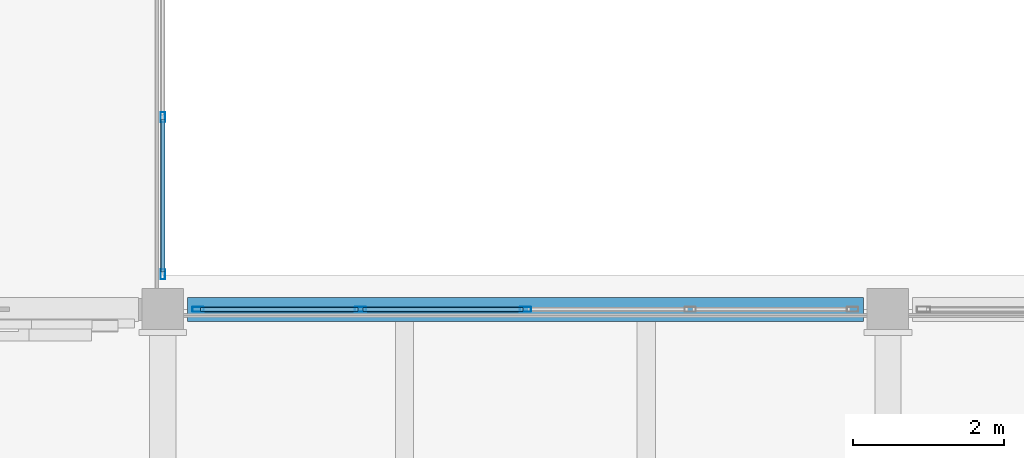
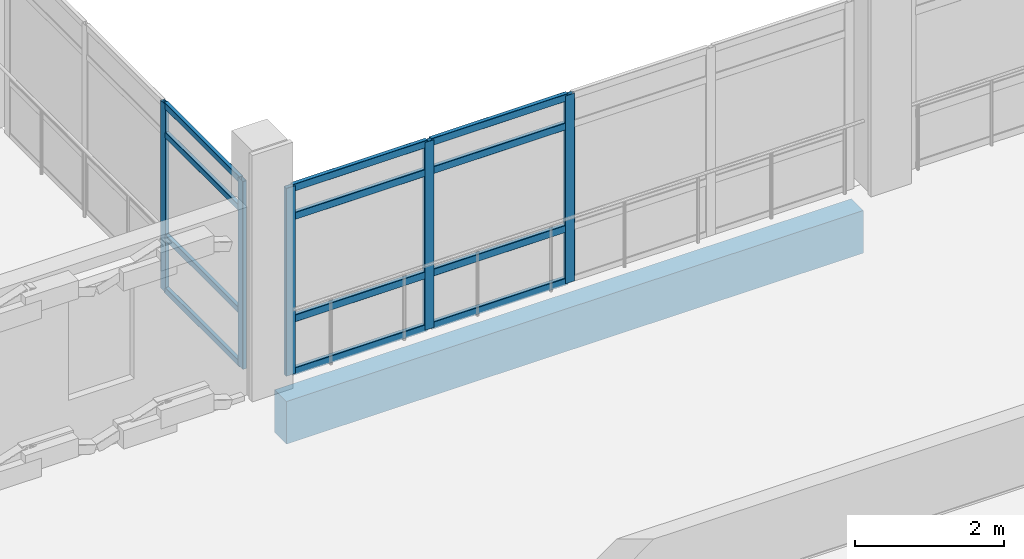
# One storey, part 10 of 50: 17 members, 1 beam, 2 elements without a shape of their own.
"""IFC4 building model written with IfcOpenShell, lengths in metres."""

from ifc_helpers import new_model, si_unit, direction, frame, origin, origin_2d, place, context, subcontext, project, spatial, rectangle, hollow_rectangle, extrude, material, layer, layer_set, material_profile, profile_set, type_object, element, aggregate, save


model = new_model("IFC4")

# Units and contexts
model_context = context("Model", 3, precision=1e-05, world=origin(), true_north=direction((0.0, 1.0)))
body_context = subcontext(model_context, "Body", "Model", "MODEL_VIEW")
ifc_project = project(units=[si_unit("LENGTHUNIT", "METRE"), si_unit("AREAUNIT", "SQUARE_METRE"), si_unit("VOLUMEUNIT", "CUBIC_METRE"), si_unit("PLANEANGLEUNIT", "RADIAN"), si_unit("MASSUNIT", "GRAM", prefix="KILO")], contexts=[model_context])

# Site, building, storey
site_placement = place(None, origin())
site = spatial("IfcSite", under=ifc_project, at=site_placement, CompositionType="ELEMENT")
building_placement = place(site_placement, origin())
building = spatial("IfcBuilding", under=site, at=building_placement, Name="Asteropetra Specialist Clinic", CompositionType="ELEMENT")
storey_placement = place(building_placement, frame((0.0, 0.0, 16.659912109375)))
storey = spatial("IfcBuildingStorey", under=building, at=storey_placement, Name="L04", CompositionType="ELEMENT", Elevation=16.659912109375)

# Curtain wall, members
ifc_material_1 = material(Name="Aluminium and low-E glass", Category="aluminium")
ifc_layer_1 = layer(ifc_material_1, 0.179931640625)
ifc_layer_set_1 = layer_set([ifc_layer_1], Name="Aluminium and low-E glass")
curtain_wall_type_1 = type_object("IfcCurtainWallType", Name="CW-SYS-04", PredefinedType="USERDEFINED", material=ifc_layer_set_1)
curtain_wall_1_placement = place(storey_placement, origin())
curtain_wall_1 = element("IfcCurtainWall", 1, at=curtain_wall_1_placement, inside=storey, type_object=curtain_wall_type_1, Name="Curtain Wall CW-053", ObjectType="UNITISED CURTAIN WALL", PredefinedType="USERDEFINED")
ifc_material_2 = material(Name="Aluminium 6063-T6", Category="aluminium")
ifc_material_profile_1 = material_profile(ifc_material_2, hollow_rectangle(XDim=0.06005859375, YDim=0.135009765625, WallThickness=0.00341796875, InnerFilletRadius=0.00341796875, OuterFilletRadius=0.007080078125, at=origin_2d()), Name="MUL 135x60x3.5")
ifc_profile_set_1 = profile_set([ifc_material_profile_1], Name="Aluminium 6063-T6")
member_type_1 = type_object("IfcMemberType", Name="CWM-135x60", PredefinedType="MULLION", material=ifc_profile_set_1)
member_1_placement = place(storey_placement, frame((9.60009765625, 79.344970703125, 0.0), z_axis=(0.0, 0.0, 1.0), x_axis=(1.0, 0.0, 0.0)))
member_1 = element("IfcMember", 2, at=member_1_placement, type_object=member_type_1, Name="CW-053 mullion 3", PredefinedType="MULLION", context=body_context, shape_type="SweptSolid", body=[
    extrude(hollow_rectangle(XDim=0.06005859375, YDim=0.135009765625, WallThickness=0.00341796875, InnerFilletRadius=0.00341796875, OuterFilletRadius=0.007080078125, at=origin_2d()), origin(), (0.0, 0.0, 1.0), 3.080078125),
])
member_2_placement = place(storey_placement, frame((9.60009765625, 77.264892578125, 0.0), z_axis=(0.0, 0.0, 1.0), x_axis=(1.0, 0.0, 0.0)))
member_2 = element("IfcMember", 3, at=member_2_placement, type_object=member_type_1, Name="CW-053 mullion 4", PredefinedType="MULLION", context=body_context, shape_type="SweptSolid", body=[
    extrude(hollow_rectangle(XDim=0.06005859375, YDim=0.135009765625, WallThickness=0.00341796875, InnerFilletRadius=0.00341796875, OuterFilletRadius=0.007080078125, at=origin_2d()), origin(), (0.0, 0.0, 1.0), 3.080078125),
])

ifc_material_3 = material(Name="Aluminium and low-E glass", Category="aluminium")
ifc_layer_2 = layer(ifc_material_3, 0.14990234375)
ifc_layer_set_2 = layer_set([ifc_layer_2], Name="Aluminium and low-E glass")
curtain_wall_type_2 = type_object("IfcCurtainWallType", Name="CW-SYS-02", PredefinedType="USERDEFINED", material=ifc_layer_set_2)
curtain_wall_2_placement = place(storey_placement, origin())
curtain_wall_2 = element("IfcCurtainWall", 4, at=curtain_wall_2_placement, inside=storey, type_object=curtain_wall_type_2, Name="Curtain Wall CW-049", ObjectType="UNITISED CURTAIN WALL", PredefinedType="USERDEFINED")
ifc_material_4 = material(Name="Aluminium 6063-T6", Category="aluminium")
ifc_material_profile_2 = material_profile(ifc_material_4, hollow_rectangle(XDim=0.06494140625, YDim=0.14990234375, WallThickness=0.00390625, InnerFilletRadius=0.00390625, OuterFilletRadius=0.008056640625, at=origin_2d()), Name="MUL 150x65x4.0")
ifc_profile_set_2 = profile_set([ifc_material_profile_2], Name="Aluminium 6063-T6")
member_type_2 = type_object("IfcMemberType", Name="CWM-150x65", PredefinedType="MULLION", material=ifc_profile_set_2)
member_3_placement = place(storey_placement, frame((10.0673828125, 76.800048828125, 0.0), z_axis=(0.0, 0.0, 1.0), x_axis=(0.0, 1.0, 0.0)))
member_3 = element("IfcMember", 5, at=member_3_placement, type_object=member_type_2, Name="CW-049 mullion 1", PredefinedType="MULLION", context=body_context, shape_type="SweptSolid", body=[
    extrude(hollow_rectangle(XDim=0.06494140625, YDim=0.14990234375, WallThickness=0.00390625, InnerFilletRadius=0.00390625, OuterFilletRadius=0.008056640625, at=origin_2d()), origin(), (0.0, 0.0, 1.0), 3.080078125),
])
member_4_placement = place(storey_placement, frame((12.217529296875, 76.800048828125, 0.0), z_axis=(0.0, 0.0, 1.0), x_axis=(0.0, 1.0, 0.0)))
member_4 = element("IfcMember", 6, at=member_4_placement, type_object=member_type_2, Name="CW-049 mullion 2", PredefinedType="MULLION", context=body_context, shape_type="SweptSolid", body=[
    extrude(hollow_rectangle(XDim=0.06494140625, YDim=0.14990234375, WallThickness=0.00390625, InnerFilletRadius=0.00390625, OuterFilletRadius=0.008056640625, at=origin_2d()), origin(), (0.0, 0.0, 1.0), 3.080078125),
])
member_5_placement = place(storey_placement, frame((14.39990234375, 76.800048828125, 0.0), z_axis=(0.0, 0.0, 1.0), x_axis=(0.0, 1.0, 0.0)))
member_5 = element("IfcMember", 7, at=member_5_placement, type_object=member_type_2, Name="CW-049 mullion 3", PredefinedType="MULLION", context=body_context, shape_type="SweptSolid", body=[
    extrude(hollow_rectangle(XDim=0.06494140625, YDim=0.14990234375, WallThickness=0.00390625, InnerFilletRadius=0.00390625, OuterFilletRadius=0.008056640625, at=origin_2d()), origin(), (0.0, 0.0, 1.0), 3.080078125),
])

# Member
ifc_material_5 = material(Name="Aluminium 6063-T6", Category="aluminium")
ifc_material_profile_3 = material_profile(ifc_material_5, hollow_rectangle(XDim=0.06005859375, YDim=0.10009765625, WallThickness=0.00341796875, InnerFilletRadius=0.00341796875, OuterFilletRadius=0.007080078125, at=origin_2d()), Name="TRN 100x60x3.5")
ifc_profile_set_3 = profile_set([ifc_material_profile_3], Name="Aluminium 6063-T6")
member_type_3 = type_object("IfcMemberType", Name="CWT-100x60", PredefinedType="USERDEFINED", material=ifc_profile_set_3)
member_6_placement = place(storey_placement, frame((9.60009765625, 79.31494140625, 0.030029296875), z_axis=(0.0, -1.0, 0.0), x_axis=(1.0, 0.0, 0.0)))
member_6 = element("IfcMember", 8, at=member_6_placement, type_object=member_type_3, Name="CW-053 transom 3.1", ObjectType="TRANSOM", PredefinedType="USERDEFINED", context=body_context, shape_type="SweptSolid", body=[
    extrude(hollow_rectangle(XDim=0.06005859375, YDim=0.10009765625, WallThickness=0.00341796875, InnerFilletRadius=0.00341796875, OuterFilletRadius=0.007080078125, at=origin_2d()), origin(), (0.0, 0.0, 1.0), 2.02001953125),
])

member_7_placement = place(storey_placement, frame((9.60009765625, 79.31494140625, 0.900146484375), z_axis=(0.0, -1.0, 0.0), x_axis=(1.0, 0.0, 0.0)))
member_7 = element("IfcMember", 9, at=member_7_placement, type_object=member_type_3, Name="CW-053 transom 3.2", ObjectType="TRANSOM", PredefinedType="USERDEFINED", context=body_context, shape_type="SweptSolid", body=[
    extrude(hollow_rectangle(XDim=0.06005859375, YDim=0.10009765625, WallThickness=0.00341796875, InnerFilletRadius=0.00341796875, OuterFilletRadius=0.007080078125, at=origin_2d()), origin(), (0.0, 0.0, 1.0), 2.02001953125),
])

member_8_placement = place(storey_placement, frame((9.60009765625, 79.31494140625, 2.580078125), z_axis=(0.0, -1.0, 0.0), x_axis=(1.0, 0.0, 0.0)))
member_8 = element("IfcMember", 10, at=member_8_placement, type_object=member_type_3, Name="CW-053 transom 3.3", ObjectType="TRANSOM", PredefinedType="USERDEFINED", context=body_context, shape_type="SweptSolid", body=[
    extrude(hollow_rectangle(XDim=0.06005859375, YDim=0.10009765625, WallThickness=0.00341796875, InnerFilletRadius=0.00341796875, OuterFilletRadius=0.007080078125, at=origin_2d()), origin(), (0.0, 0.0, 1.0), 2.02001953125),
])

member_9_placement = place(storey_placement, frame((9.60009765625, 79.31494140625, 3.050048828125), z_axis=(0.0, -1.0, 0.0), x_axis=(1.0, 0.0, 0.0)))
member_9 = element("IfcMember", 11, at=member_9_placement, type_object=member_type_3, Name="CW-053 transom 3.4", ObjectType="TRANSOM", PredefinedType="USERDEFINED", context=body_context, shape_type="SweptSolid", body=[
    extrude(hollow_rectangle(XDim=0.06005859375, YDim=0.10009765625, WallThickness=0.00341796875, InnerFilletRadius=0.00341796875, OuterFilletRadius=0.007080078125, at=origin_2d()), origin(), (0.0, 0.0, 1.0), 2.02001953125),
])

aggregate(curtain_wall_1, [member_1, member_2, member_6, member_7, member_8, member_9])

ifc_material_6 = material(Name="Aluminium 6063-T6", Category="aluminium")
ifc_material_profile_4 = material_profile(ifc_material_6, hollow_rectangle(XDim=0.06494140625, YDim=0.1201171875, WallThickness=0.00390625, InnerFilletRadius=0.00390625, OuterFilletRadius=0.008056640625, at=origin_2d()), Name="TRN 120x65x4.0")
ifc_profile_set_4 = profile_set([ifc_material_profile_4], Name="Aluminium 6063-T6")
member_type_4 = type_object("IfcMemberType", Name="CWT-120x65", PredefinedType="USERDEFINED", material=ifc_profile_set_4)
member_10_placement = place(storey_placement, frame((10.10009765625, 76.800048828125, 0.032470703125), z_axis=(1.0, 0.0, 0.0), x_axis=(0.0, 1.0, 0.0)))
member_10 = element("IfcMember", 12, at=member_10_placement, type_object=member_type_4, Name="CW-049 transom 1.1", ObjectType="TRANSOM", PredefinedType="USERDEFINED", context=body_context, shape_type="SweptSolid", body=[
    extrude(hollow_rectangle(XDim=0.06494140625, YDim=0.1201171875, WallThickness=0.00390625, InnerFilletRadius=0.00390625, OuterFilletRadius=0.008056640625, at=origin_2d()), origin(), (0.0, 0.0, 1.0), 2.0849609375),
])

member_11_placement = place(storey_placement, frame((10.10009765625, 76.800048828125, 0.900146484375), z_axis=(1.0, 0.0, 0.0), x_axis=(0.0, 1.0, 0.0)))
member_11 = element("IfcMember", 13, at=member_11_placement, type_object=member_type_4, Name="CW-049 transom 1.2", ObjectType="TRANSOM", PredefinedType="USERDEFINED", context=body_context, shape_type="SweptSolid", body=[
    extrude(hollow_rectangle(XDim=0.06494140625, YDim=0.1201171875, WallThickness=0.00390625, InnerFilletRadius=0.00390625, OuterFilletRadius=0.008056640625, at=origin_2d()), origin(), (0.0, 0.0, 1.0), 2.0849609375),
])

member_12_placement = place(storey_placement, frame((10.10009765625, 76.800048828125, 2.580078125), z_axis=(1.0, 0.0, 0.0), x_axis=(0.0, 1.0, 0.0)))
member_12 = element("IfcMember", 14, at=member_12_placement, type_object=member_type_4, Name="CW-049 transom 1.3", ObjectType="TRANSOM", PredefinedType="USERDEFINED", context=body_context, shape_type="SweptSolid", body=[
    extrude(hollow_rectangle(XDim=0.06494140625, YDim=0.1201171875, WallThickness=0.00390625, InnerFilletRadius=0.00390625, OuterFilletRadius=0.008056640625, at=origin_2d()), origin(), (0.0, 0.0, 1.0), 2.0849609375),
])

member_13_placement = place(storey_placement, frame((10.10009765625, 76.800048828125, 3.047607421875), z_axis=(1.0, 0.0, 0.0), x_axis=(0.0, 1.0, 0.0)))
member_13 = element("IfcMember", 15, at=member_13_placement, type_object=member_type_4, Name="CW-049 transom 1.4", ObjectType="TRANSOM", PredefinedType="USERDEFINED", context=body_context, shape_type="SweptSolid", body=[
    extrude(hollow_rectangle(XDim=0.06494140625, YDim=0.1201171875, WallThickness=0.00390625, InnerFilletRadius=0.00390625, OuterFilletRadius=0.008056640625, at=origin_2d()), origin(), (0.0, 0.0, 1.0), 2.0849609375),
])

member_14_placement = place(storey_placement, frame((12.25, 76.800048828125, 0.032470703125), z_axis=(1.0, 0.0, 0.0), x_axis=(0.0, 1.0, 0.0)))
member_14 = element("IfcMember", 16, at=member_14_placement, type_object=member_type_4, Name="CW-049 transom 2.1", ObjectType="TRANSOM", PredefinedType="USERDEFINED", context=body_context, shape_type="SweptSolid", body=[
    extrude(hollow_rectangle(XDim=0.06494140625, YDim=0.1201171875, WallThickness=0.00390625, InnerFilletRadius=0.00390625, OuterFilletRadius=0.008056640625, at=origin_2d()), origin(), (0.0, 0.0, 1.0), 2.117431640625),
])

member_15_placement = place(storey_placement, frame((12.25, 76.800048828125, 0.900146484375), z_axis=(1.0, 0.0, 0.0), x_axis=(0.0, 1.0, 0.0)))
member_15 = element("IfcMember", 17, at=member_15_placement, type_object=member_type_4, Name="CW-049 transom 2.2", ObjectType="TRANSOM", PredefinedType="USERDEFINED", context=body_context, shape_type="SweptSolid", body=[
    extrude(hollow_rectangle(XDim=0.06494140625, YDim=0.1201171875, WallThickness=0.00390625, InnerFilletRadius=0.00390625, OuterFilletRadius=0.008056640625, at=origin_2d()), origin(), (0.0, 0.0, 1.0), 2.117431640625),
])

member_16_placement = place(storey_placement, frame((12.25, 76.800048828125, 2.580078125), z_axis=(1.0, 0.0, 0.0), x_axis=(0.0, 1.0, 0.0)))
member_16 = element("IfcMember", 18, at=member_16_placement, type_object=member_type_4, Name="CW-049 transom 2.3", ObjectType="TRANSOM", PredefinedType="USERDEFINED", context=body_context, shape_type="SweptSolid", body=[
    extrude(hollow_rectangle(XDim=0.06494140625, YDim=0.1201171875, WallThickness=0.00390625, InnerFilletRadius=0.00390625, OuterFilletRadius=0.008056640625, at=origin_2d()), origin(), (0.0, 0.0, 1.0), 2.117431640625),
])

member_17_placement = place(storey_placement, frame((12.25, 76.800048828125, 3.047607421875), z_axis=(1.0, 0.0, 0.0), x_axis=(0.0, 1.0, 0.0)))
member_17 = element("IfcMember", 19, at=member_17_placement, type_object=member_type_4, Name="CW-049 transom 2.4", ObjectType="TRANSOM", PredefinedType="USERDEFINED", context=body_context, shape_type="SweptSolid", body=[
    extrude(hollow_rectangle(XDim=0.06494140625, YDim=0.1201171875, WallThickness=0.00390625, InnerFilletRadius=0.00390625, OuterFilletRadius=0.008056640625, at=origin_2d()), origin(), (0.0, 0.0, 1.0), 2.117431640625),
])

aggregate(curtain_wall_2, [member_3, member_4, member_5, member_10, member_11, member_12, member_13, member_14, member_15, member_16, member_17])

# Beam
ifc_material_7 = material(Name="Concrete C35/45", Category="concrete")
ifc_material_profile_5 = material_profile(ifc_material_7, rectangle(XDim=0.320068359375, YDim=0.699951171875, at=origin_2d()), Name="RCS 320x700")
ifc_profile_set_5 = profile_set([ifc_material_profile_5], Name="Concrete C35/45")
beam_type = type_object("IfcBeamType", Name="SPN-RC320x700", PredefinedType="SPANDREL", material=ifc_profile_set_5)
beam_placement = place(storey_placement, frame((9.925048828125, 76.800048828125, -0.659912109375), z_axis=(1.0, 0.0, 0.0), x_axis=(0.0, 1.0, 0.0)))
element("IfcBeam", 20, at=beam_placement, inside=storey, type_object=beam_type, Name="Beam BSPN02-1688", PredefinedType="SPANDREL", context=body_context, shape_type="SweptSolid", body=[
    extrude(rectangle(XDim=0.320068359375, YDim=0.699951171875, at=origin_2d()), origin(), (0.0, 0.0, 1.0), 8.949951171875),
])

save(model, "model.ifc")
